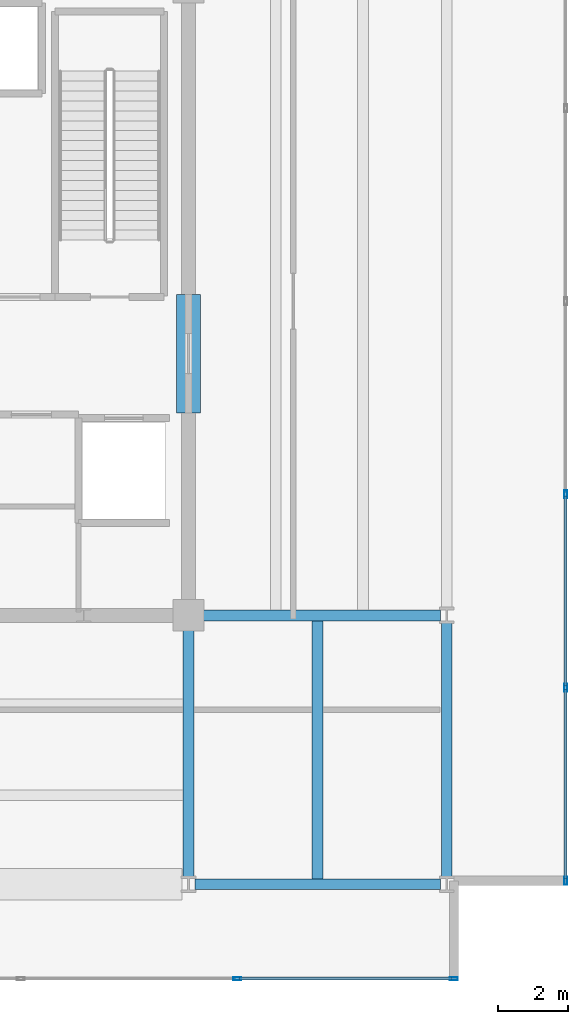
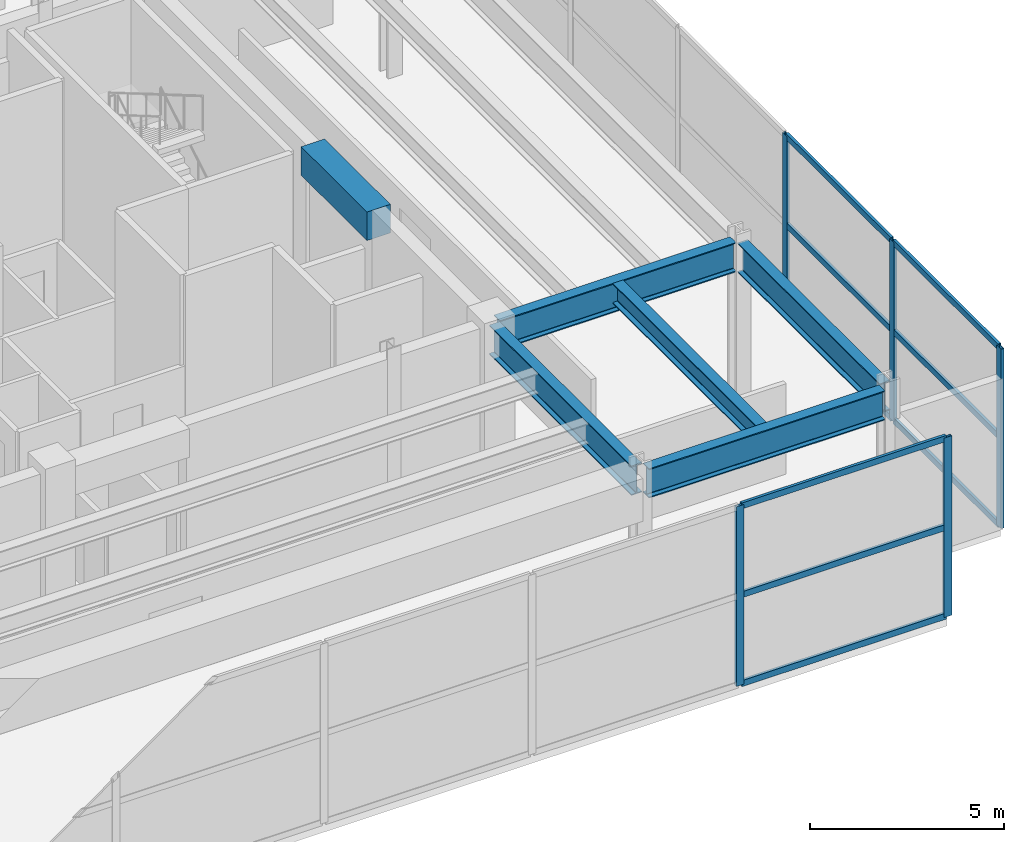
# One storey, part 10 of 21: 14 members, 6 beams, 2 elements without a shape of their own.
"""IFC4 building model written with IfcOpenShell, lengths in metres."""

from ifc_helpers import new_model, si_unit, direction, frame, origin, origin_2d, place, context, subcontext, project, spatial, rectangle, hollow_rectangle, i_section, extrude, material, material_profile, profile_set, type_object, element, aggregate, save


model = new_model("IFC4")

# Units and contexts
model_context = context("Model", 3, precision=1e-05, world=origin(), true_north=direction((0.0, 1.0)))
body_context = subcontext(model_context, "Body", "Model", "MODEL_VIEW")
ifc_project = project(units=[si_unit("LENGTHUNIT", "METRE"), si_unit("AREAUNIT", "SQUARE_METRE"), si_unit("VOLUMEUNIT", "CUBIC_METRE"), si_unit("PLANEANGLEUNIT", "RADIAN"), si_unit("MASSUNIT", "GRAM", prefix="KILO")], contexts=[model_context])

# Site, building, storey
site_placement = place(None, origin())
site = spatial("IfcSite", under=ifc_project, at=site_placement, CompositionType="ELEMENT")
building_placement = place(site_placement, origin())
building = spatial("IfcBuilding", under=site, at=building_placement, Name="Kovane Verandah Tower", CompositionType="ELEMENT")
storey_placement = place(building_placement, frame((0.0, 0.0, 342.800048828125)))
storey = spatial("IfcBuildingStorey", under=building, at=storey_placement, Name="L80", CompositionType="ELEMENT", Elevation=342.800048828125)

# Beams
ifc_material_1 = material(Name="Concrete C60/75", Category="concrete")
ifc_material_profile_1 = material_profile(ifc_material_1, rectangle(XDim=0.699951171875, YDim=0.89990234375, at=origin_2d()), Name="RCB700x900")
ifc_profile_set_1 = profile_set([ifc_material_profile_1], Name="Concrete C60/75")
beam_type_1 = type_object("IfcBeamType", Name="BM-LINTEL-700x900", PredefinedType="LINTEL", material=ifc_profile_set_1)
beam_1_placement = place(storey_placement, frame((51.0, 24.300048828125, 5.25), z_axis=(0.0, 1.0, 0.0), x_axis=(-1.0, 0.0, 0.0)))
element("IfcBeam", 1, at=beam_1_placement, inside=storey, type_object=beam_type_1, Name="L80 Core Coupling Lintel CL-E", PredefinedType="LINTEL", context=body_context, shape_type="SweptSolid", body=[
    extrude(rectangle(XDim=0.699951171875, YDim=0.89990234375, at=origin_2d()), origin(), (0.0, 0.0, 1.0), 3.39990234375),
])
ifc_material_2 = material(Name="Steel S460", Category="steel")
ifc_material_profile_2 = material_profile(ifc_material_2, i_section(OverallWidth=0.311279296875, OverallDepth=0.6357421875, WebThickness=0.018310546875, FlangeThickness=0.031494140625, FilletRadius=0.0166015625, at=origin_2d()), Name="UB610x305x238")
ifc_profile_set_2 = profile_set([ifc_material_profile_2], Name="Steel S460")
beam_type_2 = type_object("IfcBeamType", Name="BM-UB610x238", PredefinedType="BEAM", material=ifc_profile_set_2)
beam_2_placement = place(storey_placement, frame((54.699951171875, 10.951904296875, 5.382080078125), z_axis=(0.0, 1.0, 0.0), x_axis=(-1.0, 0.0, 0.0)))
element("IfcBeam", 2, at=beam_2_placement, inside=storey, type_object=beam_type_2, Name="L80 Secondary Composite Joist J-SE1", PredefinedType="BEAM", context=body_context, shape_type="SweptSolid", body=[
    extrude(i_section(OverallWidth=0.311279296875, OverallDepth=0.6357421875, WebThickness=0.018310546875, FlangeThickness=0.031494140625, FilletRadius=0.0166015625, at=origin_2d()), origin(), (0.0, 0.0, 1.0), 7.396240234375),
])
ifc_material_profile_3 = material_profile(ifc_material_2, i_section(OverallWidth=0.3076171875, OverallDepth=0.926513671875, WebThickness=0.01953125, FlangeThickness=0.031982421875, FilletRadius=0.01904296875, at=origin_2d()), Name="UB914x305x289")
ifc_profile_set_3 = profile_set([ifc_material_profile_3], Name="Steel S460")
beam_type_3 = type_object("IfcBeamType", Name="BM-UB914x289", PredefinedType="BEAM", material=ifc_profile_set_3)
beam_3_placement = place(storey_placement, frame((51.179931640625, 10.800048828125, 5.236572265625), z_axis=(1.0, 0.0, 0.0), x_axis=(0.0, 1.0, 0.0)))
element("IfcBeam", 3, at=beam_3_placement, inside=storey, type_object=beam_type_3, Name="L80 Primary Tower Girder G-RS3", PredefinedType="BEAM", context=body_context, shape_type="SweptSolid", body=[
    extrude(i_section(OverallWidth=0.3076171875, OverallDepth=0.926513671875, WebThickness=0.01953125, FlangeThickness=0.031982421875, FilletRadius=0.01904296875, at=origin_2d()), origin(), (0.0, 0.0, 1.0), 7.0400390625),
])
beam_4_placement = place(storey_placement, frame((58.39990234375, 10.97998046875, 5.236572265625), z_axis=(0.0, 1.0, 0.0), x_axis=(-1.0, 0.0, 0.0)))
element("IfcBeam", 4, at=beam_4_placement, inside=storey, type_object=beam_type_3, Name="L80 Primary Tower Girder G-RE1", PredefinedType="BEAM", context=body_context, shape_type="SweptSolid", body=[
    extrude(i_section(OverallWidth=0.3076171875, OverallDepth=0.926513671875, WebThickness=0.01953125, FlangeThickness=0.031982421875, FilletRadius=0.01904296875, at=origin_2d()), origin(), (0.0, 0.0, 1.0), 7.340087890625),
])
beam_5_placement = place(storey_placement, frame((51.179931640625, 18.5, 5.236572265625), z_axis=(1.0, 0.0, 0.0), x_axis=(0.0, 1.0, 0.0)))
element("IfcBeam", 5, at=beam_5_placement, inside=storey, type_object=beam_type_3, Name="L80 Primary Tower Girder G-E1", PredefinedType="BEAM", context=body_context, shape_type="SweptSolid", body=[
    extrude(i_section(OverallWidth=0.3076171875, OverallDepth=0.926513671875, WebThickness=0.01953125, FlangeThickness=0.031982421875, FilletRadius=0.01904296875, at=origin_2d()), origin(), (0.0, 0.0, 1.0), 7.0400390625),
])
beam_6_placement = place(storey_placement, frame((51.0, 18.320068359375, 5.236572265625), z_axis=(0.0, -1.0, 0.0), x_axis=(1.0, 0.0, 0.0)))
element("IfcBeam", 6, at=beam_6_placement, inside=storey, type_object=beam_type_3, Name="L80 Primary Tower Girder G-S2", PredefinedType="BEAM", context=body_context, shape_type="SweptSolid", body=[
    extrude(i_section(OverallWidth=0.3076171875, OverallDepth=0.926513671875, WebThickness=0.01953125, FlangeThickness=0.031982421875, FilletRadius=0.01904296875, at=origin_2d()), origin(), (0.0, 0.0, 1.0), 7.340087890625),
])

# Curtain wall, members
ifc_material_3 = material(Name="Champagne Anodised Aluminium Frame with Low-E Clear Laminated Glass", Category="aluminium")
curtain_wall_type = type_object("IfcCurtainWallType", Name="CW-SYS-06-CROWN", PredefinedType="NOTDEFINED", material=ifc_material_3)
curtain_wall_1_placement = place(storey_placement, origin())
curtain_wall_1 = element("IfcCurtainWall", 7, at=curtain_wall_1_placement, inside=storey, type_object=curtain_wall_type, Name="L80 S Unitised Curtain Wall", PredefinedType="NOTDEFINED")
ifc_material_4 = material(Name="Champagne Anodised Aluminium 6063-T6", Category="aluminium")
ifc_material_profile_4 = material_profile(ifc_material_4, hollow_rectangle(XDim=0.0849609375, YDim=0.22998046875, WallThickness=0.00390625, at=origin_2d()), Name="AL85x230x4")
ifc_profile_set_4 = profile_set([ifc_material_profile_4], Name="Champagne Anodised Aluminium 6063-T6")
member_type_1 = type_object("IfcMemberType", Name="CW-MUL-85x230", PredefinedType="MULLION", material=ifc_profile_set_4)
member_1_placement = place(storey_placement, frame((52.39990234375, 8.10009765625, 0.02001953125), z_axis=(0.0, 0.0, 1.0), x_axis=(0.0, -1.0, 0.0)))
member_1 = element("IfcMember", 8, at=member_1_placement, type_object=member_type_1, Name="L80 S Unitised Curtain Wall Mullion 6", PredefinedType="MULLION", context=body_context, shape_type="SweptSolid", body=[
    extrude(hollow_rectangle(XDim=0.0849609375, YDim=0.22998046875, WallThickness=0.00390625, at=origin_2d()), origin(), (0.0, 0.0, 1.0), 5.659912109375),
])
member_2_placement = place(storey_placement, frame((58.60009765625, 8.10009765625, 0.02001953125), z_axis=(0.0, 0.0, 1.0), x_axis=(0.0, -1.0, 0.0)))
member_2 = element("IfcMember", 9, at=member_2_placement, type_object=member_type_1, Name="L80 S Unitised Curtain Wall Mullion 7", PredefinedType="MULLION", context=body_context, shape_type="SweptSolid", body=[
    extrude(hollow_rectangle(XDim=0.0849609375, YDim=0.22998046875, WallThickness=0.00390625, at=origin_2d()), origin(), (0.0, 0.0, 1.0), 5.659912109375),
])

curtain_wall_2_placement = place(storey_placement, origin())
curtain_wall_2 = element("IfcCurtainWall", 10, at=curtain_wall_2_placement, inside=storey, type_object=curtain_wall_type, Name="L80 E Unitised Curtain Wall", PredefinedType="NOTDEFINED")
member_3_placement = place(storey_placement, frame((61.800048828125, 10.89990234375, 0.02001953125), z_axis=(0.0, 0.0, 1.0), x_axis=(1.0, 0.0, 0.0)))
member_3 = element("IfcMember", 11, at=member_3_placement, type_object=member_type_1, Name="L80 E Unitised Curtain Wall Mullion 1", PredefinedType="MULLION", context=body_context, shape_type="SweptSolid", body=[
    extrude(hollow_rectangle(XDim=0.0849609375, YDim=0.22998046875, WallThickness=0.00390625, at=origin_2d()), origin(), (0.0, 0.0, 1.0), 5.659912109375),
])
member_4_placement = place(storey_placement, frame((61.800048828125, 16.433349609375, 0.02001953125), z_axis=(0.0, 0.0, 1.0), x_axis=(1.0, 0.0, 0.0)))
member_4 = element("IfcMember", 12, at=member_4_placement, type_object=member_type_1, Name="L80 E Unitised Curtain Wall Mullion 2", PredefinedType="MULLION", context=body_context, shape_type="SweptSolid", body=[
    extrude(hollow_rectangle(XDim=0.0849609375, YDim=0.22998046875, WallThickness=0.00390625, at=origin_2d()), origin(), (0.0, 0.0, 1.0), 5.659912109375),
])
member_5_placement = place(storey_placement, frame((61.800048828125, 21.966796875, 0.02001953125), z_axis=(0.0, 0.0, 1.0), x_axis=(1.0, 0.0, 0.0)))
member_5 = element("IfcMember", 13, at=member_5_placement, type_object=member_type_1, Name="L80 E Unitised Curtain Wall Mullion 3", PredefinedType="MULLION", context=body_context, shape_type="SweptSolid", body=[
    extrude(hollow_rectangle(XDim=0.0849609375, YDim=0.22998046875, WallThickness=0.00390625, at=origin_2d()), origin(), (0.0, 0.0, 1.0), 5.659912109375),
])

# Member
ifc_material_profile_5 = material_profile(ifc_material_4, hollow_rectangle(XDim=0.0849609375, YDim=0.18994140625, WallThickness=0.00390625, at=origin_2d()), Name="AL85x190x4")
ifc_profile_set_5 = profile_set([ifc_material_profile_5], Name="Champagne Anodised Aluminium 6063-T6")
member_type_2 = type_object("IfcMemberType", Name="CW-TRN-85x190", PredefinedType="USERDEFINED", material=ifc_profile_set_5)
member_6_placement = place(storey_placement, frame((52.449951171875, 8.10009765625, 0.050048828125), z_axis=(1.0, 0.0, 0.0), x_axis=(0.0, 1.0, 0.0)))
member_6 = element("IfcMember", 14, at=member_6_placement, type_object=member_type_2, Name="L80 S Unitised Curtain Wall Transom TB Bay 6", ObjectType="TRANSOM", PredefinedType="USERDEFINED", context=body_context, shape_type="SweptSolid", body=[
    extrude(hollow_rectangle(XDim=0.0849609375, YDim=0.18994140625, WallThickness=0.00390625, at=origin_2d()), origin(), (0.0, 0.0, 1.0), 6.10009765625),
])

member_7_placement = place(storey_placement, frame((52.449951171875, 8.10009765625, 2.849853515625), z_axis=(1.0, 0.0, 0.0), x_axis=(0.0, 1.0, 0.0)))
member_7 = element("IfcMember", 15, at=member_7_placement, type_object=member_type_2, Name="L80 S Unitised Curtain Wall Transom TM Bay 6", ObjectType="TRANSOM", PredefinedType="USERDEFINED", context=body_context, shape_type="SweptSolid", body=[
    extrude(hollow_rectangle(XDim=0.0849609375, YDim=0.18994140625, WallThickness=0.00390625, at=origin_2d()), origin(), (0.0, 0.0, 1.0), 6.10009765625),
])

member_8_placement = place(storey_placement, frame((52.449951171875, 8.10009765625, 5.64990234375), z_axis=(1.0, 0.0, 0.0), x_axis=(0.0, 1.0, 0.0)))
member_8 = element("IfcMember", 16, at=member_8_placement, type_object=member_type_2, Name="L80 S Unitised Curtain Wall Transom TT Bay 6", ObjectType="TRANSOM", PredefinedType="USERDEFINED", context=body_context, shape_type="SweptSolid", body=[
    extrude(hollow_rectangle(XDim=0.0849609375, YDim=0.18994140625, WallThickness=0.00390625, at=origin_2d()), origin(), (0.0, 0.0, 1.0), 6.10009765625),
])

aggregate(curtain_wall_1, [member_1, member_2, member_6, member_7, member_8])

member_9_placement = place(storey_placement, frame((61.800048828125, 10.949951171875, 0.050048828125), z_axis=(0.0, 1.0, 0.0), x_axis=(-1.0, 0.0, 0.0)))
member_9 = element("IfcMember", 17, at=member_9_placement, type_object=member_type_2, Name="L80 E Unitised Curtain Wall Transom TB Bay 1", ObjectType="TRANSOM", PredefinedType="USERDEFINED", context=body_context, shape_type="SweptSolid", body=[
    extrude(hollow_rectangle(XDim=0.0849609375, YDim=0.18994140625, WallThickness=0.00390625, at=origin_2d()), origin(), (0.0, 0.0, 1.0), 5.433349609375),
])

member_10_placement = place(storey_placement, frame((61.800048828125, 10.949951171875, 2.849853515625), z_axis=(0.0, 1.0, 0.0), x_axis=(-1.0, 0.0, 0.0)))
member_10 = element("IfcMember", 18, at=member_10_placement, type_object=member_type_2, Name="L80 E Unitised Curtain Wall Transom TM Bay 1", ObjectType="TRANSOM", PredefinedType="USERDEFINED", context=body_context, shape_type="SweptSolid", body=[
    extrude(hollow_rectangle(XDim=0.0849609375, YDim=0.18994140625, WallThickness=0.00390625, at=origin_2d()), origin(), (0.0, 0.0, 1.0), 5.433349609375),
])

member_11_placement = place(storey_placement, frame((61.800048828125, 10.949951171875, 5.64990234375), z_axis=(0.0, 1.0, 0.0), x_axis=(-1.0, 0.0, 0.0)))
member_11 = element("IfcMember", 19, at=member_11_placement, type_object=member_type_2, Name="L80 E Unitised Curtain Wall Transom TT Bay 1", ObjectType="TRANSOM", PredefinedType="USERDEFINED", context=body_context, shape_type="SweptSolid", body=[
    extrude(hollow_rectangle(XDim=0.0849609375, YDim=0.18994140625, WallThickness=0.00390625, at=origin_2d()), origin(), (0.0, 0.0, 1.0), 5.433349609375),
])

member_12_placement = place(storey_placement, frame((61.800048828125, 16.4833984375, 0.050048828125), z_axis=(0.0, 1.0, 0.0), x_axis=(-1.0, 0.0, 0.0)))
member_12 = element("IfcMember", 20, at=member_12_placement, type_object=member_type_2, Name="L80 E Unitised Curtain Wall Transom TB Bay 2", ObjectType="TRANSOM", PredefinedType="USERDEFINED", context=body_context, shape_type="SweptSolid", body=[
    extrude(hollow_rectangle(XDim=0.0849609375, YDim=0.18994140625, WallThickness=0.00390625, at=origin_2d()), origin(), (0.0, 0.0, 1.0), 5.433349609375),
])

member_13_placement = place(storey_placement, frame((61.800048828125, 16.4833984375, 2.849853515625), z_axis=(0.0, 1.0, 0.0), x_axis=(-1.0, 0.0, 0.0)))
member_13 = element("IfcMember", 21, at=member_13_placement, type_object=member_type_2, Name="L80 E Unitised Curtain Wall Transom TM Bay 2", ObjectType="TRANSOM", PredefinedType="USERDEFINED", context=body_context, shape_type="SweptSolid", body=[
    extrude(hollow_rectangle(XDim=0.0849609375, YDim=0.18994140625, WallThickness=0.00390625, at=origin_2d()), origin(), (0.0, 0.0, 1.0), 5.433349609375),
])

member_14_placement = place(storey_placement, frame((61.800048828125, 16.4833984375, 5.64990234375), z_axis=(0.0, 1.0, 0.0), x_axis=(-1.0, 0.0, 0.0)))
member_14 = element("IfcMember", 22, at=member_14_placement, type_object=member_type_2, Name="L80 E Unitised Curtain Wall Transom TT Bay 2", ObjectType="TRANSOM", PredefinedType="USERDEFINED", context=body_context, shape_type="SweptSolid", body=[
    extrude(hollow_rectangle(XDim=0.0849609375, YDim=0.18994140625, WallThickness=0.00390625, at=origin_2d()), origin(), (0.0, 0.0, 1.0), 5.433349609375),
])

aggregate(curtain_wall_2, [member_3, member_4, member_5, member_9, member_10, member_11, member_12, member_13, member_14])

save(model, "model.ifc")
